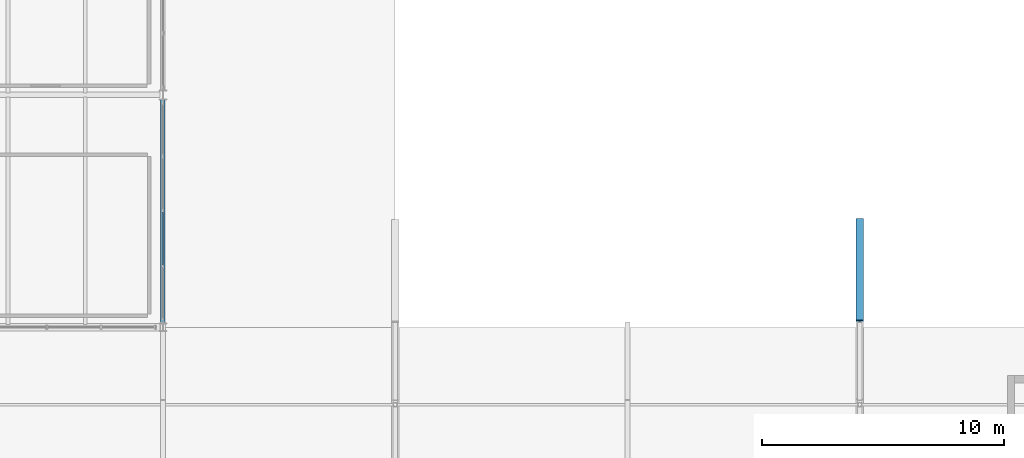
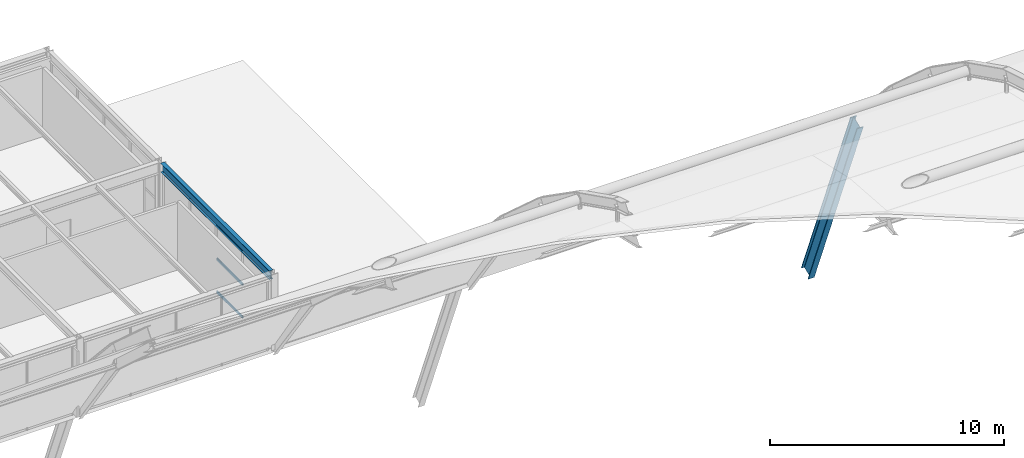
# One storey, part 90 of 126: 3 members, 2 beams, 1 element without a shape of its own.
"""IFC4 building model written with IfcOpenShell, lengths in metres."""

from ifc_helpers import new_model, si_unit, direction, frame, origin, origin_2d, place, context, subcontext, project, spatial, hollow_rectangle, i_section, extrude, material, material_profile, profile_set, type_object, element, aggregate, save


model = new_model("IFC4")

# Units and contexts
model_context = context("Model", 3, precision=1e-05, world=origin(), true_north=direction((0.0, 1.0)))
body_context = subcontext(model_context, "Body", "Model", "MODEL_VIEW")
ifc_project = project(units=[si_unit("LENGTHUNIT", "METRE"), si_unit("AREAUNIT", "SQUARE_METRE"), si_unit("VOLUMEUNIT", "CUBIC_METRE"), si_unit("PLANEANGLEUNIT", "RADIAN"), si_unit("MASSUNIT", "GRAM", prefix="KILO")], contexts=[model_context])

# Site, building, storey
site_placement = place(None, origin())
site = spatial("IfcSite", under=ifc_project, at=site_placement, CompositionType="ELEMENT")
building_placement = place(site_placement, origin())
building = spatial("IfcBuilding", under=site, at=building_placement, Name="Coralgate Yard Interchange", CompositionType="ELEMENT")
storey_placement = place(building_placement, frame((0.0, 0.0, 10.5)))
storey = spatial("IfcBuildingStorey", under=building, at=storey_placement, Name="L02", CompositionType="ELEMENT", Elevation=10.5)

# Beams
ifc_material_1 = material(Name="Yellow-ochre weather-coated structural steel S355J2", Category="steel")
ifc_material_profile_1 = material_profile(ifc_material_1, i_section(OverallWidth=0.300048828125, OverallDepth=0.64990234375, WebThickness=0.01611328125, FlangeThickness=0.031005859375, FilletRadius=0.027099609375, at=origin_2d()), Name="HEB 650")
ifc_profile_set_1 = profile_set([ifc_material_profile_1], Name="Yellow-ochre weather-coated structural steel S355J2")
beam_type_1 = type_object("IfcBeamType", Name="BM-AR-1", PredefinedType="BEAM", material=ifc_profile_set_1)
beam_1_placement = place(storey_placement, frame((124.800048828125, 76.800048828125, 1.699951171875), z_axis=(0.0, 0.374462329793, -0.927242127799), x_axis=(-1.0, 0.0, 0.0)))
element("IfcBeam", 1, at=beam_1_placement, inside=storey, type_object=beam_type_1, Name="Yellow-ochre overarching steel arch AR-5 chord 14", PredefinedType="BEAM", context=body_context, shape_type="SweptSolid", body=[
    extrude(i_section(OverallWidth=0.300048828125, OverallDepth=0.64990234375, WebThickness=0.01611328125, FlangeThickness=0.031005859375, FilletRadius=0.027099609375, at=origin_2d()), origin(), (0.0, 0.0, 1.0), 11.216064453125),
])
ifc_material_2 = material(Name="Structural steel S355J2", Category="steel")
ifc_material_profile_2 = material_profile(ifc_material_2, i_section(OverallWidth=0.1904296875, OverallDepth=0.45703125, WebThickness=0.009033203125, FlangeThickness=0.014404296875, FilletRadius=0.01025390625, at=origin_2d()), Name="UB 457x191x74")
ifc_profile_set_2 = profile_set([ifc_material_profile_2], Name="Structural steel S355J2")
beam_type_2 = type_object("IfcBeamType", Name="BM-SB-2", PredefinedType="BEAM", material=ifc_profile_set_2)
beam_2_placement = place(storey_placement, frame((96.0, 76.93994140625, 3.721435546875), z_axis=(0.0, 1.0, 0.0), x_axis=(-1.0, 0.0, 0.0)))
element("IfcBeam", 2, at=beam_2_placement, inside=storey, type_object=beam_type_2, Name="L02 primary grid girder X10 Y8-9", PredefinedType="BEAM", context=body_context, shape_type="SweptSolid", body=[
    extrude(i_section(OverallWidth=0.1904296875, OverallDepth=0.45703125, WebThickness=0.009033203125, FlangeThickness=0.014404296875, FilletRadius=0.01025390625, at=origin_2d()), origin(), (0.0, 0.0, 1.0), 9.2900390625),
])

# Curtain wall, members
ifc_material_3 = material(Name="Anodised coastal aluminium and solar-control low-E glass", Category="aluminium")
curtain_wall_type = type_object("IfcCurtainWallType", Name="CW-CW-L02-A", PredefinedType="NOTDEFINED", material=ifc_material_3)
curtain_wall_placement = place(storey_placement, origin())
curtain_wall = element("IfcCurtainWall", 3, at=curtain_wall_placement, inside=storey, type_object=curtain_wall_type, Name="L02 unitised curtain wall CW-L02-E-09-08", PredefinedType="NOTDEFINED")
ifc_material_4 = material(Name="Anodised coastal aluminium 6063-T6", Category="aluminium")
ifc_material_profile_3 = material_profile(ifc_material_4, hollow_rectangle(XDim=0.06005859375, YDim=0.1201171875, WallThickness=0.00341796875, InnerFilletRadius=0.00341796875, OuterFilletRadius=0.007080078125, at=origin_2d()), Name="ALU 60x120x3.5")
ifc_profile_set_3 = profile_set([ifc_material_profile_3], Name="Anodised coastal aluminium 6063-T6")
member_type = type_object("IfcMemberType", Name="MB-TRN-120", PredefinedType="USERDEFINED", material=ifc_profile_set_3)
member_1_placement = place(storey_placement, frame((96.0, 81.570068359375, 0.034912109375), z_axis=(0.0, -1.0, 0.0), x_axis=(1.0, 0.0, 0.0)))
member_1 = element("IfcMember", 4, at=member_1_placement, type_object=member_type, Name="CW-L02-E-09-08 horizontal transom 3-1", ObjectType="TRANSOM", PredefinedType="USERDEFINED", context=body_context, shape_type="SweptSolid", body=[
    extrude(hollow_rectangle(XDim=0.06005859375, YDim=0.1201171875, WallThickness=0.00341796875, InnerFilletRadius=0.00341796875, OuterFilletRadius=0.007080078125, at=origin_2d()), origin(), (0.0, 0.0, 1.0), 2.190185546875),
])
member_2_placement = place(storey_placement, frame((96.0, 81.570068359375, 1.74658203125), z_axis=(0.0, -1.0, 0.0), x_axis=(1.0, 0.0, 0.0)))
member_2 = element("IfcMember", 5, at=member_2_placement, type_object=member_type, Name="CW-L02-E-09-08 horizontal transom 3-2", ObjectType="TRANSOM", PredefinedType="USERDEFINED", context=body_context, shape_type="SweptSolid", body=[
    extrude(hollow_rectangle(XDim=0.06005859375, YDim=0.1201171875, WallThickness=0.00341796875, InnerFilletRadius=0.00341796875, OuterFilletRadius=0.007080078125, at=origin_2d()), origin(), (0.0, 0.0, 1.0), 2.190185546875),
])
member_3_placement = place(storey_placement, frame((96.0, 81.570068359375, 3.4580078125), z_axis=(0.0, -1.0, 0.0), x_axis=(1.0, 0.0, 0.0)))
member_3 = element("IfcMember", 6, at=member_3_placement, type_object=member_type, Name="CW-L02-E-09-08 horizontal transom 3-3", ObjectType="TRANSOM", PredefinedType="USERDEFINED", context=body_context, shape_type="SweptSolid", body=[
    extrude(hollow_rectangle(XDim=0.06005859375, YDim=0.1201171875, WallThickness=0.00341796875, InnerFilletRadius=0.00341796875, OuterFilletRadius=0.007080078125, at=origin_2d()), origin(), (0.0, 0.0, 1.0), 2.190185546875),
])
aggregate(curtain_wall, [member_1, member_2, member_3])

save(model, "model.ifc")
